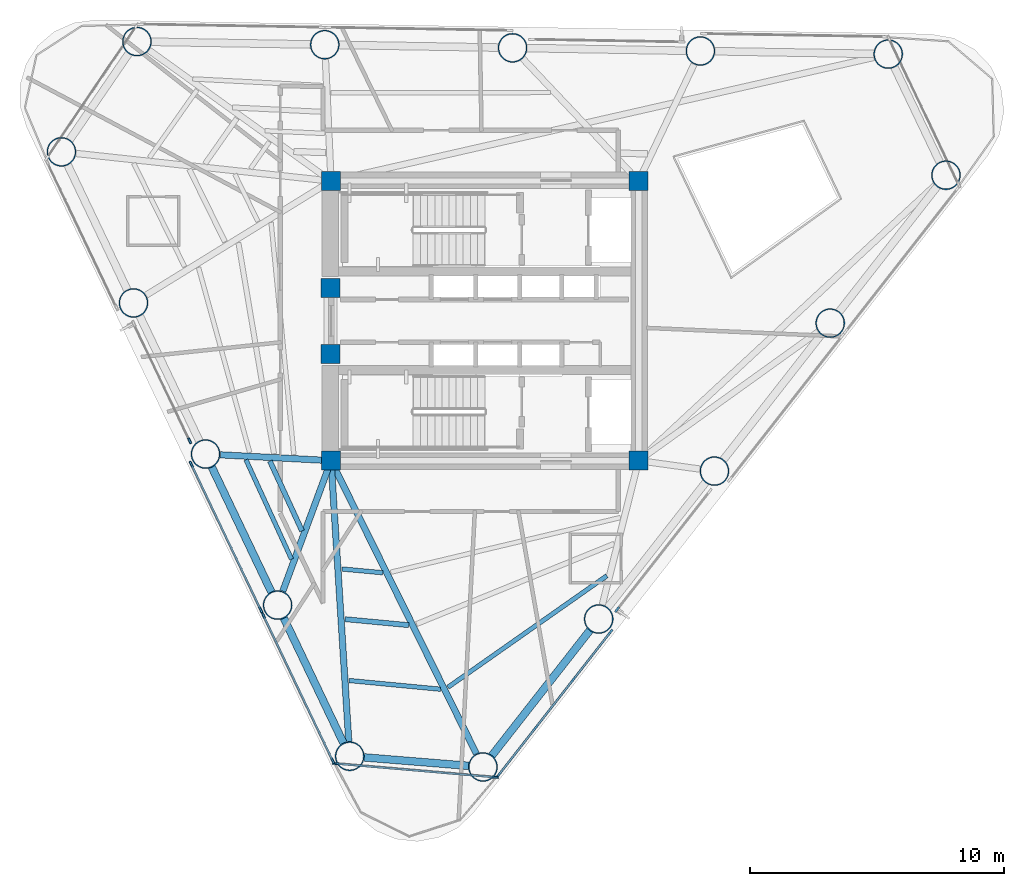
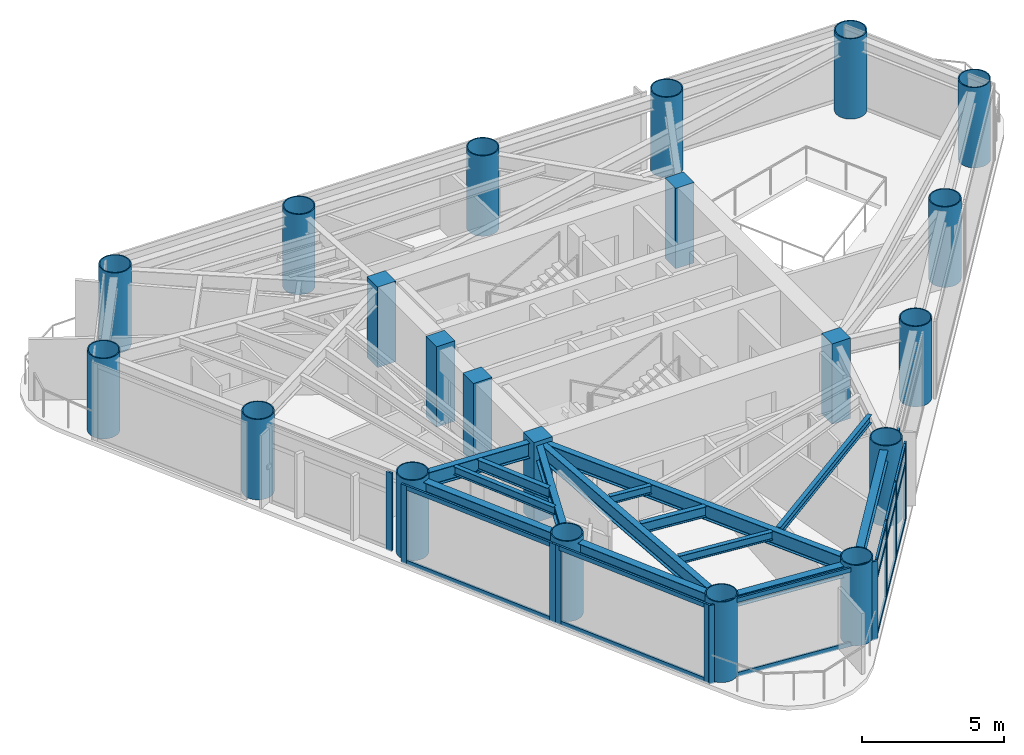
# One storey, part 1 of 9: 27 members, 21 columns, 14 beams, 6 elements without a shape of their own.
"""IFC4 building model written with IfcOpenShell, lengths in metres."""

from ifc_helpers import new_model, si_unit, direction, frame, origin, origin_2d, place, context, subcontext, project, spatial, rectangle, hollow_circle, i_section, extrude, source, transform, mapped, material, layer, layer_set, material_profile, profile_set, type_object, element, aggregate, save


model = new_model("IFC4")

# Units and contexts
model_context = context("Model", 3, precision=1e-05, world=origin(), true_north=direction((0.0, 1.0)))
body_context = subcontext(model_context, "Body", "Model", "MODEL_VIEW")
ifc_project = project(units=[si_unit("LENGTHUNIT", "METRE"), si_unit("AREAUNIT", "SQUARE_METRE"), si_unit("VOLUMEUNIT", "CUBIC_METRE"), si_unit("PLANEANGLEUNIT", "RADIAN"), si_unit("MASSUNIT", "GRAM", prefix="KILO")], contexts=[model_context])

# Site, building, storey
site_placement = place(None, origin())
site = spatial("IfcSite", under=ifc_project, at=site_placement, CompositionType="ELEMENT")
building_placement = place(site_placement, origin())
building = spatial("IfcBuilding", under=site, at=building_placement, Name="Yunling Apex Tower", CompositionType="ELEMENT")
storey_placement = place(building_placement, frame((0.0, 0.0, 198.35009765625)))
storey = spatial("IfcBuildingStorey", under=building, at=storey_placement, Name="L48", CompositionType="ELEMENT", Elevation=198.35009765625)

# Columns
ifc_material_1 = material(Name="Concrete C50", Category="concrete")
ifc_material_profile_1 = material_profile(ifc_material_1, rectangle(XDim=0.75, YDim=0.75, at=origin_2d()))
ifc_profile_set_1 = profile_set([ifc_material_profile_1], Name="Concrete C50")
column_type_1 = type_object("IfcColumnType", Name="PC-SRC-4", PredefinedType="COLUMN", material=ifc_profile_set_1)
shared_shape_1 = source(origin(), body_context, "Body", "SweptSolid", [
    extrude(rectangle(XDim=0.75, YDim=0.75, at=origin_2d()), origin(), (0.0, 0.0, 1.0), 3.449951171875),
])
for number, where, z_axis, x_axis, name in (
    (1, (-6.050048828125, -5.5, 0.0), (0.0, 0.0, 1.0), (1.0, 0.0, 0.0), "L48 Core Spine Column CC-SW"),
    (2, (6.050048828125, -5.5, 0.0), (0.0, 0.0, 1.0), (1.0, 0.0, 0.0), "L48 Core Spine Column CC-SE"),
    (3, (6.050048828125, 5.5, 0.0), (0.0, 0.0, 1.0), (1.0, 0.0, 0.0), "L48 Core Spine Column CC-NE"),
    (4, (-6.050048828125, 5.5, 0.0), (0.0, 0.0, 1.0), (1.0, 0.0, 0.0), "L48 Core Spine Column CC-NW"),
    (5, (-6.074951171875, -1.300048828125, 0.0), (0.0, 0.0, 1.0), (1.0, 0.0, 0.0), "L48 Core West Portal Jamb Column S"),
    (6, (-6.074951171875, 1.300048828125, 0.0), (0.0, 0.0, 1.0), (1.0, 0.0, 0.0), "L48 Core West Portal Jamb Column N"),
):
    element("IfcColumn", number, at=place(storey_placement, frame(where, z_axis=z_axis, x_axis=x_axis)), inside=storey, type_object=column_type_1, Name=name, PredefinedType="COLUMN", context=body_context, shape_type="MappedRepresentation", body=[
        mapped(shared_shape_1, transform((0.0, 0.0, 0.0), scale=1.0)),
    ])
ifc_material_2 = material(Name="Steel Q390GJC", Category="steel")
ifc_material_profile_2 = material_profile(ifc_material_2, hollow_circle(Radius=0.574951171875, WallThickness=0.0419921875, at=origin_2d()))
ifc_profile_set_2 = profile_set([ifc_material_profile_2], Name="Steel Q390GJC")
column_type_2 = type_object("IfcColumnType", Name="MC-CFST-4", PredefinedType="COLUMN", material=ifc_profile_set_2)
shared_shape_2 = source(origin(), body_context, "Body", "SweptSolid", [
    extrude(hollow_circle(Radius=0.574951171875, WallThickness=0.0419921875, at=origin_2d()), origin(), (0.0, 0.0, 1.0), 3.449951171875),
])
for number, where, z_axis, x_axis, name in (
    (7, (-0.073486328125, -17.55322265625, 0.0), (0.0, 0.0, 1.0), (1.0, 0.0, 0.0), "L48 Perimeter CFST Mega-Column P01"),
    (8, (4.480712890625, -11.732177734375, 0.0), (0.0, 0.0, 1.0), (1.0, 0.0, 0.0), "L48 Perimeter CFST Mega-Column P02"),
    (9, (9.03515625, -5.911376953125, 0.0), (0.0, 0.0, 1.0), (1.0, 0.0, 0.0), "L48 Perimeter CFST Mega-Column P03"),
    (10, (13.589599609375, -0.09033203125, 0.0), (0.0, 0.0, 1.0), (1.0, 0.0, 0.0), "L48 Perimeter CFST Mega-Column P04"),
    (11, (18.143798828125, 5.730712890625, 0.0), (0.0, 0.0, 1.0), (1.0, 0.0, 0.0), "L48 Perimeter CFST Mega-Column P05"),
    (12, (15.871826171875, 10.493896484375, 0.0), (0.0, 0.0, 1.0), (1.0, 0.0, 0.0), "L48 Perimeter CFST Mega-Column P06"),
    (13, (8.48193359375, 10.617919921875, 0.0), (0.0, 0.0, 1.0), (1.0, 0.0, 0.0), "L48 Perimeter CFST Mega-Column P07"),
    (14, (1.092041015625, 10.74169921875, 0.0), (0.0, 0.0, 1.0), (1.0, 0.0, 0.0), "L48 Perimeter CFST Mega-Column P08"),
    (15, (-6.2978515625, 10.865478515625, 0.0), (0.0, 0.0, 1.0), (1.0, 0.0, 0.0), "L48 Perimeter CFST Mega-Column P09"),
    (16, (-13.687744140625, 10.989501953125, 0.0), (0.0, 0.0, 1.0), (1.0, 0.0, 0.0), "L48 Perimeter CFST Mega-Column P10"),
    (17, (-16.657958984375, 6.649169921875, 0.0), (0.0, 0.0, 1.0), (1.0, 0.0, 0.0), "L48 Perimeter CFST Mega-Column P11"),
    (18, (-13.822509765625, 0.704345703125, 0.0), (0.0, 0.0, 1.0), (1.0, 0.0, 0.0), "L48 Perimeter CFST Mega-Column P12"),
    (19, (-10.98681640625, -5.240478515625, 0.0), (0.0, 0.0, 1.0), (1.0, 0.0, 0.0), "L48 Perimeter CFST Mega-Column P13"),
    (20, (-8.1513671875, -11.185302734375, 0.0), (0.0, 0.0, 1.0), (1.0, 0.0, 0.0), "L48 Perimeter CFST Mega-Column P14"),
    (21, (-5.31591796875, -17.130126953125, 0.0), (0.0, 0.0, 1.0), (1.0, 0.0, 0.0), "L48 Perimeter CFST Mega-Column P15"),
):
    element("IfcColumn", number, at=place(storey_placement, frame(where, z_axis=z_axis, x_axis=x_axis)), inside=storey, type_object=column_type_2, Name=name, PredefinedType="COLUMN", context=body_context, shape_type="MappedRepresentation", body=[
        mapped(shared_shape_2, transform((0.0, 0.0, 0.0), scale=1.0)),
    ])

# Beams
ifc_material_3 = material(Name="Steel Q355B", Category="steel")
ifc_material_profile_3 = material_profile(ifc_material_3, i_section(OverallWidth=0.300048828125, OverallDepth=0.489990234375, WebThickness=0.010986328125, FlangeThickness=0.01806640625, FilletRadius=0.02197265625, at=origin_2d()))
ifc_profile_set_3 = profile_set([ifc_material_profile_3], Name="Steel Q355B")
beam_type_1 = type_object("IfcBeamType", Name="BP-SPN-2", PredefinedType="SPANDREL", material=ifc_profile_set_3)
shared_shape_3 = source(origin(), body_context, "Body", "SweptSolid", [
    extrude(i_section(OverallWidth=0.300048828125, OverallDepth=0.489990234375, WebThickness=0.010986328125, FlangeThickness=0.01806640625, FilletRadius=0.02197265625, at=origin_2d()), origin(), (0.0, 0.0, 1.0), 6.252685546875),
])
beam_1_placement = place(storey_placement, frame((0.277099609375, -17.10498046875, 3.02490234375), z_axis=(0.616211399259, 0.787580796759, 0.0), x_axis=(-0.787580796759, 0.616211399259, 0.0)))
element("IfcBeam", 22, at=beam_1_placement, inside=storey, type_object=beam_type_1, Name="L48 Perimeter Spandrel Beam 1", PredefinedType="SPANDREL", context=body_context, shape_type="MappedRepresentation", body=[
    mapped(shared_shape_3, transform((0.0, 0.0, 0.0), scale=1.0)),
])
shared_shape_4 = source(origin(), body_context, "Body", "SweptSolid", [
    extrude(i_section(OverallWidth=0.300048828125, OverallDepth=0.489990234375, WebThickness=0.010986328125, FlangeThickness=0.01806640625, FilletRadius=0.02197265625, at=origin_2d()), origin(), (0.0, 0.0, 1.0), 4.121337890625),
])
beam_2_placement = place(storey_placement, frame((-4.74853515625, -17.17578125, 3.02490234375), z_axis=(0.996758900332, -0.080446843376, 0.0), x_axis=(0.080446843376, 0.996758900332, 0.0)))
element("IfcBeam", 23, at=beam_2_placement, inside=storey, type_object=beam_type_1, Name="L48 Perimeter Spandrel Beam 15", PredefinedType="SPANDREL", context=body_context, shape_type="MappedRepresentation", body=[
    mapped(shared_shape_4, transform((0.0, 0.0, 0.0), scale=1.0)),
])
shared_shape_5 = source(origin(), body_context, "Body", "SweptSolid", [
    extrude(i_section(OverallWidth=0.300048828125, OverallDepth=0.489990234375, WebThickness=0.010986328125, FlangeThickness=0.01806640625, FilletRadius=0.02197265625, at=origin_2d()), origin(), (0.0, 0.0, 1.0), 5.4482421875),
])
for number, where, z_axis, x_axis, name in (
    (24, (-10.741943359375, -5.754150390625, 3.02490234375), (0.430538797564, -0.902572071246, 0.0), (0.902572071246, 0.430538797564, 0.0), "L48 Perimeter Spandrel Beam 13"),
    (25, (-7.90625, -11.698974609375, 3.02490234375), (0.430502292287, -0.902589483839, 0.0), (0.902589483839, 0.430502292287, 0.0), "L48 Perimeter Spandrel Beam 14"),
):
    element("IfcBeam", number, at=place(storey_placement, frame(where, z_axis=z_axis, x_axis=x_axis)), inside=storey, type_object=beam_type_1, Name=name, PredefinedType="SPANDREL", context=body_context, shape_type="MappedRepresentation", body=[
        mapped(shared_shape_5, transform((0.0, 0.0, 0.0), scale=1.0)),
    ])
ifc_material_profile_4 = material_profile(ifc_material_3, i_section(OverallWidth=0.25, OverallDepth=0.64990234375, WebThickness=0.011962890625, FlangeThickness=0.02001953125, FilletRadius=0.02392578125, at=origin_2d()))
ifc_profile_set_4 = profile_set([ifc_material_profile_4], Name="Steel Q355B")
beam_type_2 = type_object("IfcBeamType", Name="BG-PRI-4", PredefinedType="USERDEFINED", material=ifc_profile_set_4)
shared_shape_6 = source(origin(), body_context, "Body", "SweptSolid", [
    extrude(i_section(OverallWidth=0.25, OverallDepth=0.64990234375, WebThickness=0.011962890625, FlangeThickness=0.02001953125, FilletRadius=0.02392578125, at=origin_2d()), origin(), (0.0, 0.0, 1.0), 12.79052734375),
])
beam_3_placement = place(storey_placement, frame((-0.33251953125, -17.031005859375, 2.94482421875), z_axis=(-0.444225803272, 0.895914859631, 0.0), x_axis=(-0.895914859631, -0.444225803272, 0.0)))
element("IfcBeam", 26, at=beam_3_placement, inside=storey, type_object=beam_type_2, Name="L48 Radial Primary Girder R01", ObjectType="GIRDER", PredefinedType="USERDEFINED", context=body_context, shape_type="MappedRepresentation", body=[
    mapped(shared_shape_6, transform((0.0, 0.0, 0.0), scale=1.0)),
])
shared_shape_7 = source(origin(), body_context, "Body", "SweptSolid", [
    extrude(i_section(OverallWidth=0.25, OverallDepth=0.64990234375, WebThickness=0.011962890625, FlangeThickness=0.02001953125, FilletRadius=0.02392578125, at=origin_2d()), origin(), (0.0, 0.0, 1.0), 4.28076171875),
])
beam_4_placement = place(storey_placement, frame((-10.40478515625, -5.27099609375, 2.94482421875), z_axis=(0.998619561788, -0.052525906134, 0.0), x_axis=(0.052525906134, 0.998619561788, 0.0)))
element("IfcBeam", 27, at=beam_4_placement, inside=storey, type_object=beam_type_2, Name="L48 Radial Primary Girder R13", ObjectType="GIRDER", PredefinedType="USERDEFINED", context=body_context, shape_type="MappedRepresentation", body=[
    mapped(shared_shape_7, transform((0.0, 0.0, 0.0), scale=1.0)),
])
shared_shape_8 = source(origin(), body_context, "Body", "SweptSolid", [
    extrude(i_section(OverallWidth=0.25, OverallDepth=0.64990234375, WebThickness=0.011962890625, FlangeThickness=0.02001953125, FilletRadius=0.02392578125, at=origin_2d()), origin(), (0.0, 0.0, 1.0), 5.398193359375),
])
beam_5_placement = place(storey_placement, frame((-7.94921875, -10.638427734375, 2.94482421875), z_axis=(0.346698581513, 0.937976595431, 0.0), x_axis=(-0.937976595431, 0.346698581513, 0.0)))
element("IfcBeam", 28, at=beam_5_placement, inside=storey, type_object=beam_type_2, Name="L48 Radial Primary Girder R14", ObjectType="GIRDER", PredefinedType="USERDEFINED", context=body_context, shape_type="MappedRepresentation", body=[
    mapped(shared_shape_8, transform((0.0, 0.0, 0.0), scale=1.0)),
])
shared_shape_9 = source(origin(), body_context, "Body", "SweptSolid", [
    extrude(i_section(OverallWidth=0.25, OverallDepth=0.64990234375, WebThickness=0.011962890625, FlangeThickness=0.02001953125, FilletRadius=0.02392578125, at=origin_2d()), origin(), (0.0, 0.0, 1.0), 10.990234375),
])
beam_6_placement = place(storey_placement, frame((-5.3525390625, -16.54833984375, 2.94482421875), z_axis=(-0.062999232086, 0.998013575437, 0.0), x_axis=(-0.998013575437, -0.062999232086, 0.0)))
element("IfcBeam", 29, at=beam_6_placement, inside=storey, type_object=beam_type_2, Name="L48 Radial Primary Girder R15", ObjectType="GIRDER", PredefinedType="USERDEFINED", context=body_context, shape_type="MappedRepresentation", body=[
    mapped(shared_shape_9, transform((0.0, 0.0, 0.0), scale=1.0)),
])
ifc_material_profile_5 = material_profile(ifc_material_3, i_section(OverallWidth=0.175048828125, OverallDepth=0.35009765625, WebThickness=0.007080078125, FlangeThickness=0.010986328125, FilletRadius=0.013916015625, at=origin_2d()))
ifc_profile_set_5 = profile_set([ifc_material_profile_5], Name="Steel Q355B")
beam_type_3 = type_object("IfcBeamType", Name="BJ-JST-1", PredefinedType="JOIST", material=ifc_profile_set_5)
shared_shape_10 = source(origin(), body_context, "Body", "SweptSolid", [
    extrude(i_section(OverallWidth=0.175048828125, OverallDepth=0.35009765625, WebThickness=0.007080078125, FlangeThickness=0.010986328125, FilletRadius=0.013916015625, at=origin_2d()), origin(), (0.0, 0.0, 1.0), 7.639892578125),
])
beam_7_placement = place(storey_placement, frame((-1.45166015625, -14.41796875, 3.094970703125), z_axis=(0.818522685397, 0.574474206113, 0.0), x_axis=(-0.574474206113, 0.818522685397, 0.0)))
element("IfcBeam", 30, at=beam_7_placement, inside=storey, type_object=beam_type_3, Name="L48 Composite Floor Joist BJ1-1", PredefinedType="JOIST", context=body_context, shape_type="MappedRepresentation", body=[
    mapped(shared_shape_10, transform((0.0, 0.0, 0.0), scale=1.0)),
])
ifc_material_profile_6 = material_profile(ifc_material_3, i_section(OverallWidth=0.199951171875, OverallDepth=0.449951171875, WebThickness=0.009033203125, FlangeThickness=0.013916015625, FilletRadius=0.01806640625, at=origin_2d()))
ifc_profile_set_6 = profile_set([ifc_material_profile_6], Name="Steel Q355B")
beam_type_4 = type_object("IfcBeamType", Name="BS-SEC-3", PredefinedType="BEAM", material=ifc_profile_set_6)
shared_shape_11 = source(origin(), body_context, "Body", "SweptSolid", [
    extrude(i_section(OverallWidth=0.199951171875, OverallDepth=0.449951171875, WebThickness=0.009033203125, FlangeThickness=0.013916015625, FilletRadius=0.01806640625, at=origin_2d()), origin(), (0.0, 0.0, 1.0), 3.0263671875),
])
beam_8_placement = place(storey_placement, frame((-8.456787109375, -5.515380859375, 3.044921875), z_axis=(0.417707186738, -0.908581700315, 0.0), x_axis=(0.908581700315, 0.417707186738, 0.0)))
element("IfcBeam", 31, at=beam_8_placement, inside=storey, type_object=beam_type_4, Name="L48 Composite Floor Beam BS-13", PredefinedType="BEAM", context=body_context, shape_type="MappedRepresentation", body=[
    mapped(shared_shape_11, transform((0.0, 0.0, 0.0), scale=1.0)),
])
shared_shape_12 = source(origin(), body_context, "Body", "SweptSolid", [
    extrude(i_section(OverallWidth=0.175048828125, OverallDepth=0.35009765625, WebThickness=0.007080078125, FlangeThickness=0.010986328125, FilletRadius=0.013916015625, at=origin_2d()), origin(), (0.0, 0.0, 1.0), 4.3046875),
])
beam_9_placement = place(storey_placement, frame((-9.397705078125, -5.466064453125, 3.094970703125), z_axis=(0.416693768596, -0.909046920248, 0.0), x_axis=(0.909046920248, 0.416693768596, 0.0)))
element("IfcBeam", 32, at=beam_9_placement, inside=storey, type_object=beam_type_3, Name="L48 Composite Floor Joist BJ1-13", PredefinedType="JOIST", context=body_context, shape_type="MappedRepresentation", body=[
    mapped(shared_shape_12, transform((0.0, 0.0, 0.0), scale=1.0)),
])
shared_shape_13 = source(origin(), body_context, "Body", "SweptSolid", [
    extrude(i_section(OverallWidth=0.199951171875, OverallDepth=0.449951171875, WebThickness=0.009033203125, FlangeThickness=0.013916015625, FilletRadius=0.01806640625, at=origin_2d()), origin(), (0.0, 0.0, 1.0), 2.51708984375),
])
beam_10_placement = place(storey_placement, frame((-5.497802734375, -11.7373046875, 3.044921875), z_axis=(0.995573168634, -0.093989711653, 0.0), x_axis=(0.093989711653, 0.995573168634, 0.0)))
element("IfcBeam", 33, at=beam_10_placement, inside=storey, type_object=beam_type_4, Name="L48 Composite Floor Beam BS-15", PredefinedType="BEAM", context=body_context, shape_type="MappedRepresentation", body=[
    mapped(shared_shape_13, transform((0.0, 0.0, 0.0), scale=1.0)),
])
shared_shape_14 = source(origin(), body_context, "Body", "SweptSolid", [
    extrude(i_section(OverallWidth=0.175048828125, OverallDepth=0.35009765625, WebThickness=0.007080078125, FlangeThickness=0.010986328125, FilletRadius=0.013916015625, at=origin_2d()), origin(), (0.0, 0.0, 1.0), 3.620361328125),
])
beam_11_placement = place(storey_placement, frame((-5.345703125, -14.150390625, 3.094970703125), z_axis=(0.99546937037, -0.095082767391, 0.0), x_axis=(0.095082767391, 0.99546937037, 0.0)))
element("IfcBeam", 34, at=beam_11_placement, inside=storey, type_object=beam_type_3, Name="L48 Composite Floor Joist BJ1-15", PredefinedType="JOIST", context=body_context, shape_type="MappedRepresentation", body=[
    mapped(shared_shape_14, transform((0.0, 0.0, 0.0), scale=1.0)),
])
shared_shape_15 = source(origin(), body_context, "Body", "SweptSolid", [
    extrude(i_section(OverallWidth=0.175048828125, OverallDepth=0.35009765625, WebThickness=0.007080078125, FlangeThickness=0.010986328125, FilletRadius=0.013916015625, at=origin_2d()), origin(), (0.0, 0.0, 1.0), 1.61474609375),
])
beam_12_placement = place(storey_placement, frame((-5.62255859375, -9.7626953125, 3.094970703125), z_axis=(0.995751976421, -0.092076063413, 0.0), x_axis=(0.092076063413, 0.995751976421, 0.0)))
element("IfcBeam", 35, at=beam_12_placement, inside=storey, type_object=beam_type_3, Name="L48 Composite Floor Joist BJ3-15", PredefinedType="JOIST", context=body_context, shape_type="MappedRepresentation", body=[
    mapped(shared_shape_15, transform((0.0, 0.0, 0.0), scale=1.0)),
])

# Curtain wall, members
ifc_material_4 = material(Name="Bronze anodised aluminium", Category="aluminium")
ifc_layer = layer(ifc_material_4, 0.239990234375)
ifc_layer_set = layer_set([ifc_layer], Name="Bronze anodised aluminium")
curtain_wall_type = type_object("IfcCurtainWallType", Name="CW-SYS-3", PredefinedType="NOTDEFINED", material=ifc_layer_set)
curtain_wall_1_placement = place(storey_placement, origin())
curtain_wall_1 = element("IfcCurtainWall", 36, at=curtain_wall_1_placement, inside=storey, type_object=curtain_wall_type, Name="CW-L48-F1-B1", PredefinedType="NOTDEFINED")
ifc_material_profile_7 = material_profile(ifc_material_4, rectangle(XDim=0.080078125, YDim=0.239990234375, at=origin_2d()))
ifc_profile_set_7 = profile_set([ifc_material_profile_7], Name="Bronze anodised aluminium")
member_type_1 = type_object("IfcMemberType", Name="CW-MUL-3", PredefinedType="MULLION", material=ifc_profile_set_7)
shared_shape_16 = source(origin(), body_context, "Body", "SweptSolid", [
    extrude(rectangle(XDim=0.080078125, YDim=0.239990234375, at=origin_2d()), origin(), (0.0, 0.0, 1.0), 3.369873046875),
])
member_1_placement = place(storey_placement, frame((0.535888671875, -17.877685546875, -0.050048828125), z_axis=(0.0, 0.0, 1.0), x_axis=(-0.787589332433, 0.616200489644, 0.0)))
member_1 = element("IfcMember", 37, at=member_1_placement, type_object=member_type_1, Name="CW-SYS-3 mullion 1", PredefinedType="MULLION", context=body_context, shape_type="MappedRepresentation", body=[
    mapped(shared_shape_16, transform((0.0, 0.0, 0.0), scale=1.0)),
])
member_2_placement = place(storey_placement, frame((1.99658203125, -16.010986328125, -0.050048828125), z_axis=(0.0, 0.0, 1.0), x_axis=(-0.787589332433, 0.616200489644, 0.0)))
member_2 = element("IfcMember", 38, at=member_2_placement, type_object=member_type_1, Name="CW-SYS-3 mullion 2", PredefinedType="MULLION", context=body_context, shape_type="MappedRepresentation", body=[
    mapped(shared_shape_16, transform((0.0, 0.0, 0.0), scale=1.0)),
])
member_3_placement = place(storey_placement, frame((3.481689453125, -14.112548828125, -0.050048828125), z_axis=(0.0, 0.0, 1.0), x_axis=(-0.787589332433, 0.616200489644, 0.0)))
member_3 = element("IfcMember", 39, at=member_3_placement, type_object=member_type_1, Name="CW-SYS-3 mullion 3", PredefinedType="MULLION", context=body_context, shape_type="MappedRepresentation", body=[
    mapped(shared_shape_16, transform((0.0, 0.0, 0.0), scale=1.0)),
])
member_4_placement = place(storey_placement, frame((4.9423828125, -12.24560546875, -0.050048828125), z_axis=(0.0, 0.0, 1.0), x_axis=(-0.787589332433, 0.616200489644, 0.0)))
member_4 = element("IfcMember", 40, at=member_4_placement, type_object=member_type_1, Name="CW-SYS-3 mullion 4", PredefinedType="MULLION", context=body_context, shape_type="MappedRepresentation", body=[
    mapped(shared_shape_16, transform((0.0, 0.0, 0.0), scale=1.0)),
])

# Curtain wall, member
curtain_wall_2_placement = place(storey_placement, origin())
curtain_wall_2 = element("IfcCurtainWall", 41, at=curtain_wall_2_placement, inside=storey, type_object=curtain_wall_type, Name="CW-L48-F1-B2", PredefinedType="NOTDEFINED")
member_5_placement = place(storey_placement, frame((5.20458984375, -11.35888671875, -0.050048828125), z_axis=(0.0, 0.0, 1.0), x_axis=(-0.787576499109, 0.616216892053, 0.0)))
member_5 = element("IfcMember", 42, at=member_5_placement, type_object=member_type_1, Name="CW-SYS-3 mullion 1", PredefinedType="MULLION", context=body_context, shape_type="MappedRepresentation", body=[
    mapped(shared_shape_16, transform((0.0, 0.0, 0.0), scale=1.0)),
])
aggregate(curtain_wall_2, [member_5])

curtain_wall_3_placement = place(storey_placement, origin())
curtain_wall_3 = element("IfcCurtainWall", 43, at=curtain_wall_3_placement, inside=storey, type_object=curtain_wall_type, Name="CW-L48-F3-B2", PredefinedType="NOTDEFINED")
member_6_placement = place(storey_placement, frame((-11.6123046875, -4.718994140625, -0.050048828125), z_axis=(0.0, 0.0, 1.0), x_axis=(0.902583049107, 0.430515783062, 0.0)))
member_6 = element("IfcMember", 44, at=member_6_placement, type_object=member_type_1, Name="CW-SYS-3 mullion 2", PredefinedType="MULLION", context=body_context, shape_type="MappedRepresentation", body=[
    mapped(shared_shape_16, transform((0.0, 0.0, 0.0), scale=1.0)),
])
aggregate(curtain_wall_3, [member_6])

# Curtain wall, members
curtain_wall_4_placement = place(storey_placement, origin())
curtain_wall_4 = element("IfcCurtainWall", 45, at=curtain_wall_4_placement, inside=storey, type_object=curtain_wall_type, Name="CW-L48-F3-B3", PredefinedType="NOTDEFINED")
member_7_placement = place(storey_placement, frame((-11.549072265625, -5.6416015625, -0.050048828125), z_axis=(0.0, 0.0, 1.0), x_axis=(0.902588239851, 0.430504900417, 0.0)))
member_7 = element("IfcMember", 46, at=member_7_placement, type_object=member_type_1, Name="CW-SYS-3 mullion 1", PredefinedType="MULLION", context=body_context, shape_type="MappedRepresentation", body=[
    mapped(shared_shape_16, transform((0.0, 0.0, 0.0), scale=1.0)),
])
member_8_placement = place(storey_placement, frame((-8.81689453125, -11.36962890625, -0.050048828125), z_axis=(0.0, 0.0, 1.0), x_axis=(0.902588239851, 0.430504900417, 0.0)))
member_8 = element("IfcMember", 47, at=member_8_placement, type_object=member_type_1, Name="CW-SYS-3 mullion 2", PredefinedType="MULLION", context=body_context, shape_type="MappedRepresentation", body=[
    mapped(shared_shape_16, transform((0.0, 0.0, 0.0), scale=1.0)),
])

curtain_wall_5_placement = place(storey_placement, origin())
curtain_wall_5 = element("IfcCurtainWall", 48, at=curtain_wall_5_placement, inside=storey, type_object=curtain_wall_type, Name="CW-L48-F3-B4", PredefinedType="NOTDEFINED")
member_9_placement = place(storey_placement, frame((-8.71337890625, -11.586181640625, -0.050048828125), z_axis=(0.0, 0.0, 1.0), x_axis=(0.902582193367, 0.430517577128, 0.0)))
member_9 = element("IfcMember", 49, at=member_9_placement, type_object=member_type_1, Name="CW-SYS-3 mullion 1", PredefinedType="MULLION", context=body_context, shape_type="MappedRepresentation", body=[
    mapped(shared_shape_16, transform((0.0, 0.0, 0.0), scale=1.0)),
])
member_10_placement = place(storey_placement, frame((-5.981201171875, -17.314453125, -0.050048828125), z_axis=(0.0, 0.0, 1.0), x_axis=(0.902582193367, 0.430517577128, 0.0)))
member_10 = element("IfcMember", 50, at=member_10_placement, type_object=member_type_1, Name="CW-SYS-3 mullion 2", PredefinedType="MULLION", context=body_context, shape_type="MappedRepresentation", body=[
    mapped(shared_shape_16, transform((0.0, 0.0, 0.0), scale=1.0)),
])

curtain_wall_6_placement = place(storey_placement, origin())
curtain_wall_6 = element("IfcCurtainWall", 51, at=curtain_wall_6_placement, inside=storey, type_object=curtain_wall_type, Name="CW-L48-CRN3", PredefinedType="NOTDEFINED")
member_11_placement = place(storey_placement, frame((-5.87158203125, -17.417724609375, -0.050048828125), z_axis=(0.0, 0.0, 1.0), x_axis=(0.085517150026, 0.996336698637, 0.0)))
member_11 = element("IfcMember", 52, at=member_11_placement, type_object=member_type_1, Name="CW-SYS-3 mullion 1", PredefinedType="MULLION", context=body_context, shape_type="MappedRepresentation", body=[
    mapped(shared_shape_16, transform((0.0, 0.0, 0.0), scale=1.0)),
])
member_12_placement = place(storey_placement, frame((0.406494140625, -17.95654296875, -0.050048828125), z_axis=(0.0, 0.0, 1.0), x_axis=(0.085517150026, 0.996336698637, 0.0)))
member_12 = element("IfcMember", 53, at=member_12_placement, type_object=member_type_1, Name="CW-SYS-3 mullion 2", PredefinedType="MULLION", context=body_context, shape_type="MappedRepresentation", body=[
    mapped(shared_shape_16, transform((0.0, 0.0, 0.0), scale=1.0)),
])

# Member
ifc_material_profile_8 = material_profile(ifc_material_4, rectangle(XDim=0.080078125, YDim=0.18505859375, at=origin_2d()))
ifc_profile_set_8 = profile_set([ifc_material_profile_8], Name="Bronze anodised aluminium")
member_type_2 = type_object("IfcMemberType", Name="CW-TRN-3", PredefinedType="USERDEFINED", material=ifc_profile_set_8)
shared_shape_17 = source(origin(), body_context, "Body", "SweptSolid", [
    extrude(rectangle(XDim=0.080078125, YDim=0.18505859375, at=origin_2d()), origin(), (0.0, 0.0, 1.0), 2.29833984375),
])
member_13_placement = place(storey_placement, frame((0.55810546875, -17.849365234375, 0.039794921875), z_axis=(0.616225194125, 0.787570003317, 0.0), x_axis=(-0.787570003317, 0.616225194125, 0.0)))
member_13 = element("IfcMember", 54, at=member_13_placement, type_object=member_type_2, Name="CW-SYS-3 transom 1.1", ObjectType="TRANSOM", PredefinedType="USERDEFINED", context=body_context, shape_type="MappedRepresentation", body=[
    mapped(shared_shape_17, transform((0.0, 0.0, 0.0), scale=1.0)),
])

member_14_placement = place(storey_placement, frame((0.55810546875, -17.849365234375, 2.485107421875), z_axis=(0.616225194125, 0.787570003317, 0.0), x_axis=(-0.787570003317, 0.616225194125, 0.0)))
member_14 = element("IfcMember", 55, at=member_14_placement, type_object=member_type_2, Name="CW-SYS-3 transom 1.2", ObjectType="TRANSOM", PredefinedType="USERDEFINED", context=body_context, shape_type="MappedRepresentation", body=[
    mapped(shared_shape_17, transform((0.0, 0.0, 0.0), scale=1.0)),
])

member_15_placement = place(storey_placement, frame((0.55810546875, -17.849365234375, 3.22998046875), z_axis=(0.616225194125, 0.787570003317, 0.0), x_axis=(-0.787570003317, 0.616225194125, 0.0)))
member_15 = element("IfcMember", 56, at=member_15_placement, type_object=member_type_2, Name="CW-SYS-3 transom 1.3", ObjectType="TRANSOM", PredefinedType="USERDEFINED", context=body_context, shape_type="MappedRepresentation", body=[
    mapped(shared_shape_17, transform((0.0, 0.0, 0.0), scale=1.0)),
])

member_16_placement = place(storey_placement, frame((3.50390625, -14.084228515625, 0.039794921875), z_axis=(0.616225194125, 0.787570003317, 0.0), x_axis=(-0.787570003317, 0.616225194125, 0.0)))
member_16 = element("IfcMember", 57, at=member_16_placement, type_object=member_type_2, Name="CW-SYS-3 transom 3.1", ObjectType="TRANSOM", PredefinedType="USERDEFINED", context=body_context, shape_type="MappedRepresentation", body=[
    mapped(shared_shape_17, transform((0.0, 0.0, 0.0), scale=1.0)),
])

member_17_placement = place(storey_placement, frame((3.50390625, -14.084228515625, 2.485107421875), z_axis=(0.616225194125, 0.787570003317, 0.0), x_axis=(-0.787570003317, 0.616225194125, 0.0)))
member_17 = element("IfcMember", 58, at=member_17_placement, type_object=member_type_2, Name="CW-SYS-3 transom 3.2", ObjectType="TRANSOM", PredefinedType="USERDEFINED", context=body_context, shape_type="MappedRepresentation", body=[
    mapped(shared_shape_17, transform((0.0, 0.0, 0.0), scale=1.0)),
])

member_18_placement = place(storey_placement, frame((3.50390625, -14.084228515625, 3.22998046875), z_axis=(0.616225194125, 0.787570003317, 0.0), x_axis=(-0.787570003317, 0.616225194125, 0.0)))
member_18 = element("IfcMember", 59, at=member_18_placement, type_object=member_type_2, Name="CW-SYS-3 transom 3.3", ObjectType="TRANSOM", PredefinedType="USERDEFINED", context=body_context, shape_type="MappedRepresentation", body=[
    mapped(shared_shape_17, transform((0.0, 0.0, 0.0), scale=1.0)),
])

shared_shape_18 = source(origin(), body_context, "Body", "SweptSolid", [
    extrude(rectangle(XDim=0.080078125, YDim=0.18505859375, at=origin_2d()), origin(), (0.0, 0.0, 1.0), 2.338134765625),
])
member_19_placement = place(storey_placement, frame((2.018798828125, -15.982421875, 0.039794921875), z_axis=(0.61616466275, 0.787617361654, 0.0), x_axis=(-0.787617361654, 0.61616466275, 0.0)))
member_19 = element("IfcMember", 60, at=member_19_placement, type_object=member_type_2, Name="CW-SYS-3 transom 2.1", ObjectType="TRANSOM", PredefinedType="USERDEFINED", context=body_context, shape_type="MappedRepresentation", body=[
    mapped(shared_shape_18, transform((0.0, 0.0, 0.0), scale=1.0)),
])

member_20_placement = place(storey_placement, frame((2.018798828125, -15.982421875, 2.485107421875), z_axis=(0.61616466275, 0.787617361654, 0.0), x_axis=(-0.787617361654, 0.61616466275, 0.0)))
member_20 = element("IfcMember", 61, at=member_20_placement, type_object=member_type_2, Name="CW-SYS-3 transom 2.2", ObjectType="TRANSOM", PredefinedType="USERDEFINED", context=body_context, shape_type="MappedRepresentation", body=[
    mapped(shared_shape_18, transform((0.0, 0.0, 0.0), scale=1.0)),
])

member_21_placement = place(storey_placement, frame((2.018798828125, -15.982421875, 3.22998046875), z_axis=(0.61616466275, 0.787617361654, 0.0), x_axis=(-0.787617361654, 0.61616466275, 0.0)))
member_21 = element("IfcMember", 62, at=member_21_placement, type_object=member_type_2, Name="CW-SYS-3 transom 2.3", ObjectType="TRANSOM", PredefinedType="USERDEFINED", context=body_context, shape_type="MappedRepresentation", body=[
    mapped(shared_shape_18, transform((0.0, 0.0, 0.0), scale=1.0)),
])

aggregate(curtain_wall_1, [member_1, member_2, member_3, member_4, member_13, member_14, member_15, member_19, member_20, member_21, member_16, member_17, member_18])

shared_shape_19 = source(origin(), body_context, "Body", "SweptSolid", [
    extrude(rectangle(XDim=0.080078125, YDim=0.18505859375, at=origin_2d()), origin(), (0.0, 0.0, 1.0), 6.2744140625),
])
member_22_placement = place(storey_placement, frame((-11.533447265625, -5.674072265625, 0.039794921875), z_axis=(0.430513491492, -0.902584142141, 0.0), x_axis=(0.902584142141, 0.430513491492, 0.0)))
member_22 = element("IfcMember", 63, at=member_22_placement, type_object=member_type_2, Name="CW-SYS-3 transom 1.1", ObjectType="TRANSOM", PredefinedType="USERDEFINED", context=body_context, shape_type="MappedRepresentation", body=[
    mapped(shared_shape_19, transform((0.0, 0.0, 0.0), scale=1.0)),
])

member_23_placement = place(storey_placement, frame((-11.533447265625, -5.674072265625, 3.22998046875), z_axis=(0.430513491492, -0.902584142141, 0.0), x_axis=(0.902584142141, 0.430513491492, 0.0)))
member_23 = element("IfcMember", 64, at=member_23_placement, type_object=member_type_2, Name="CW-SYS-3 transom 1.2", ObjectType="TRANSOM", PredefinedType="USERDEFINED", context=body_context, shape_type="MappedRepresentation", body=[
    mapped(shared_shape_19, transform((0.0, 0.0, 0.0), scale=1.0)),
])

aggregate(curtain_wall_4, [member_7, member_8, member_22, member_23])

member_24_placement = place(storey_placement, frame((-8.697998046875, -11.618896484375, 0.039794921875), z_axis=(0.430513491492, -0.902584142141, 0.0), x_axis=(0.902584142141, 0.430513491492, 0.0)))
member_24 = element("IfcMember", 65, at=member_24_placement, type_object=member_type_2, Name="CW-SYS-3 transom 1.1", ObjectType="TRANSOM", PredefinedType="USERDEFINED", context=body_context, shape_type="MappedRepresentation", body=[
    mapped(shared_shape_19, transform((0.0, 0.0, 0.0), scale=1.0)),
])

member_25_placement = place(storey_placement, frame((-8.697998046875, -11.618896484375, 3.22998046875), z_axis=(0.430513491492, -0.902584142141, 0.0), x_axis=(0.902584142141, 0.430513491492, 0.0)))
member_25 = element("IfcMember", 66, at=member_25_placement, type_object=member_type_2, Name="CW-SYS-3 transom 1.2", ObjectType="TRANSOM", PredefinedType="USERDEFINED", context=body_context, shape_type="MappedRepresentation", body=[
    mapped(shared_shape_19, transform((0.0, 0.0, 0.0), scale=1.0)),
])

aggregate(curtain_wall_5, [member_9, member_10, member_24, member_25])

shared_shape_20 = source(origin(), body_context, "Body", "SweptSolid", [
    extrude(rectangle(XDim=0.080078125, YDim=0.18505859375, at=origin_2d()), origin(), (0.0, 0.0, 1.0), 6.22900390625),
])
member_26_placement = place(storey_placement, frame((-5.835693359375, -17.420654296875, 0.039794921875), z_axis=(0.996336446565, -0.085520086795, 0.0), x_axis=(0.085520086795, 0.996336446565, 0.0)))
member_26 = element("IfcMember", 67, at=member_26_placement, type_object=member_type_2, Name="CW-SYS-3 transom 1.1", ObjectType="TRANSOM", PredefinedType="USERDEFINED", context=body_context, shape_type="MappedRepresentation", body=[
    mapped(shared_shape_20, transform((0.0, 0.0, 0.0), scale=1.0)),
])

member_27_placement = place(storey_placement, frame((-5.835693359375, -17.420654296875, 3.22998046875), z_axis=(0.996336446565, -0.085520086795, 0.0), x_axis=(0.085520086795, 0.996336446565, 0.0)))
member_27 = element("IfcMember", 68, at=member_27_placement, type_object=member_type_2, Name="CW-SYS-3 transom 1.2", ObjectType="TRANSOM", PredefinedType="USERDEFINED", context=body_context, shape_type="MappedRepresentation", body=[
    mapped(shared_shape_20, transform((0.0, 0.0, 0.0), scale=1.0)),
])

aggregate(curtain_wall_6, [member_11, member_12, member_26, member_27])

save(model, "model.ifc")
